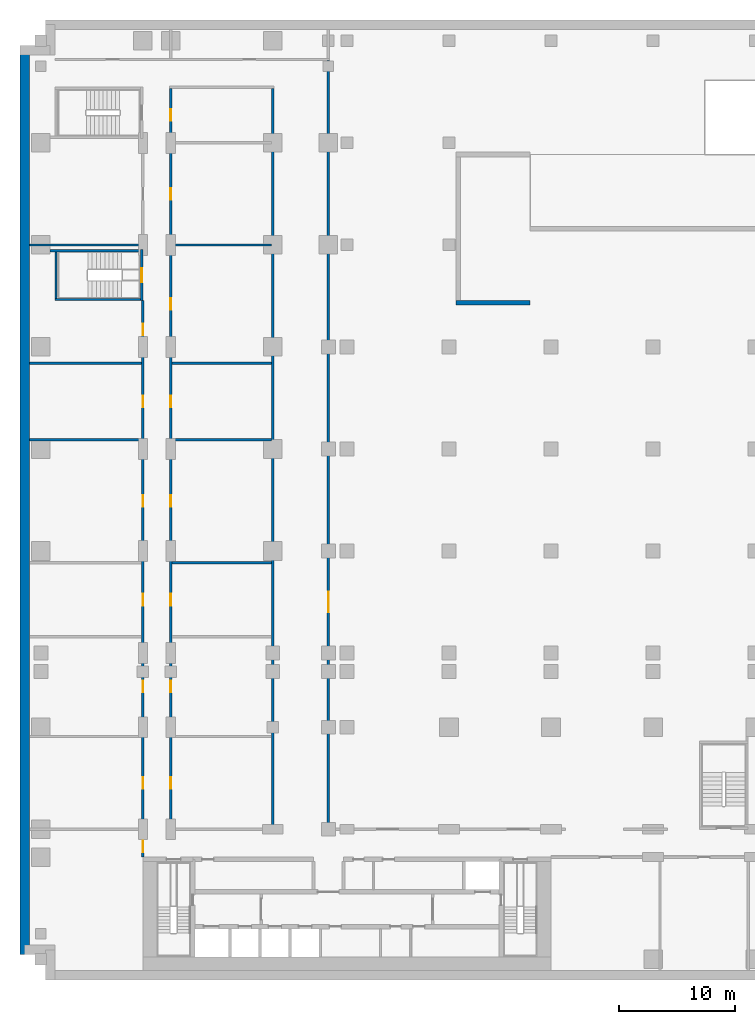
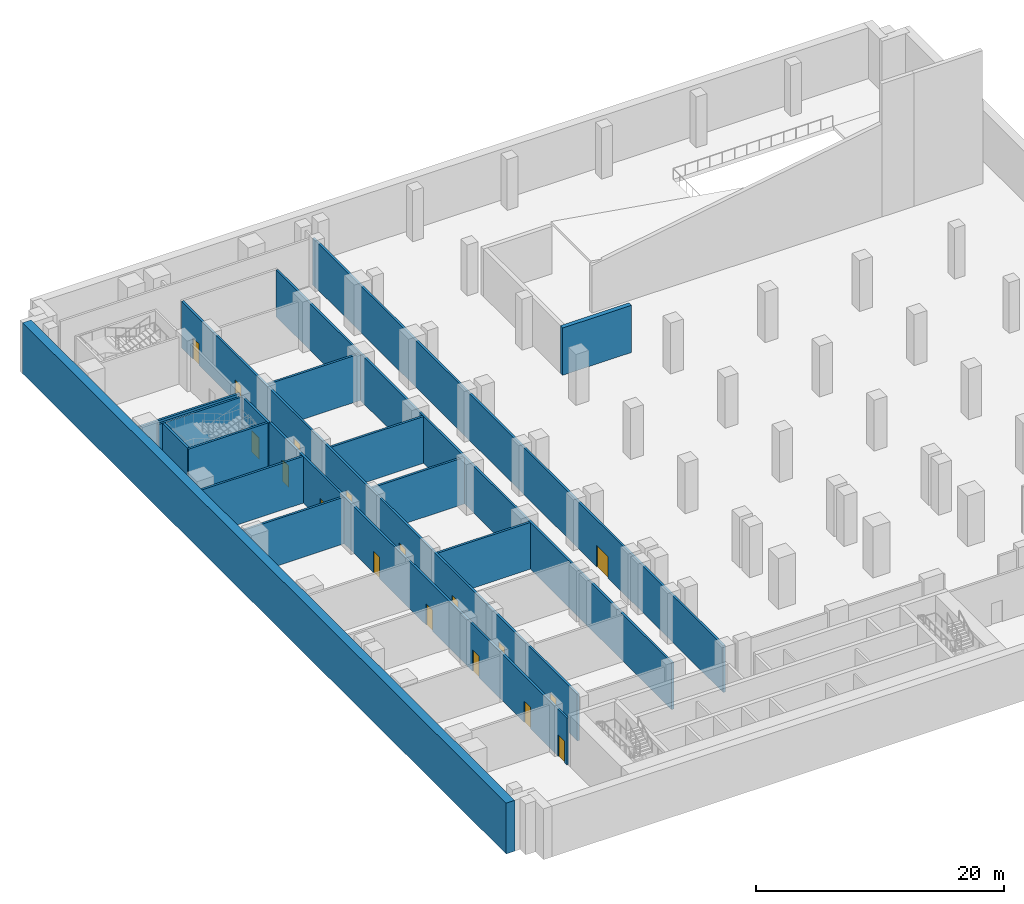
# One storey, part 5 of 12: 17 doors, 17 walls, 17 openings.
"""IFC4 building model written with IfcOpenShell, lengths in metres."""

from ifc_helpers import new_model, si_unit, direction, frame, frame_2d, origin, place, context, subcontext, project, spatial, polyline, rectangle, outline, extrude, material, layer, layer_set, type_object, element, fill, save


model = new_model("IFC4")

# Units and contexts
model_context = context("Model", 3, precision=1e-05, world=origin(), true_north=direction((0.0, 1.0)))
body_context = subcontext(model_context, "Body", "Model", "MODEL_VIEW")
ifc_project = project(units=[si_unit("LENGTHUNIT", "METRE"), si_unit("AREAUNIT", "SQUARE_METRE"), si_unit("VOLUMEUNIT", "CUBIC_METRE"), si_unit("PLANEANGLEUNIT", "RADIAN"), si_unit("MASSUNIT", "GRAM", prefix="KILO")], contexts=[model_context])

# Site, building, storey
site_placement = place(None, origin())
site = spatial("IfcSite", under=ifc_project, at=site_placement, CompositionType="ELEMENT")
building_placement = place(site_placement, origin())
building = spatial("IfcBuilding", under=site, at=building_placement, Name="Kemantara Hotel Tower", CompositionType="ELEMENT")
storey_placement = place(building_placement, frame((0.0, 0.0, -12.0)))
storey = spatial("IfcBuildingStorey", under=building, at=storey_placement, Name="B2", CompositionType="ELEMENT", Elevation=-12.0)

# Wall
ifc_material_1 = material(Name="Concrete fc 40 MPa", Category="concrete")
ifc_layer_1 = layer(ifc_material_1, 0.800048828125)
ifc_layer_set_1 = layer_set([ifc_layer_1], Name="Concrete fc 40 MPa")
wall_type_1 = type_object("IfcWallType", Name="BASEMENT PERIMETER WALL 800 FC40", PredefinedType="SHEAR", material=ifc_layer_set_1)
wall_1_placement = place(storey_placement, frame((-0.39990234375, 1.39990234375, 0.0), z_axis=(0.0, 0.0, 1.0), x_axis=(0.0, 1.0, 0.0)))
element("IfcWall", 1, at=wall_1_placement, inside=storey, type_object=wall_type_1, Name="BASEMENT PERIMETER WALL B2 7", PredefinedType="SHEAR", context=body_context, shape_type="SweptSolid", body=[
    extrude(rectangle(XDim=78.0, YDim=0.800048828125, at=frame_2d((39.0, 0.0))), origin(), (0.0, 0.0, 1.0), 5.0),
])

# Wall, opening, door
ifc_layer_2 = layer(ifc_material_1, 0.199951171875)
ifc_layer_set_2 = layer_set([ifc_layer_2], Name="Concrete fc 40 MPa")
wall_type_2 = type_object("IfcWallType", Name="Concrete stair wall 200 mm", PredefinedType="SHEAR", material=ifc_layer_set_2)
wall_2_placement = place(storey_placement, frame((9.699951171875, 57.800048828125, 0.0), z_axis=(0.0, 0.0, 1.0), x_axis=(0.0, 1.0, 0.0)))
wall_2 = element("IfcWall", 2, at=wall_2_placement, inside=storey, type_object=wall_type_2, Name="Stair ST4 enclosure wall with door", PredefinedType="SHEAR", context=body_context, shape_type="SweptSolid", body=[
    extrude(rectangle(XDim=4.39990234375, YDim=0.199951171875, at=frame_2d((2.199951171875, 0.0))), origin(), (0.0, 0.0, 1.0), 4.597900390625),
])
opening_1_placement = place(wall_2_placement, frame((1.60009765625, 0.0, 0.0)))
opening_1 = element("IfcOpeningElement", 3, at=opening_1_placement, cuts=wall_2, Name="Opening ST4-C", PredefinedType="OPENING", context=body_context, shape_type="SweptSolid", body=[
    extrude(rectangle(XDim=1.199951171875, YDim=2.10009765625, at=frame_2d((0.60009765625, 1.050048828125))), frame((0.0, 0.10986328125, 0.0), z_axis=(0.0, -1.0, 0.0), x_axis=(1.0, 0.0, 0.0)), (0.0, 0.0, 1.0), 0.219970703125),
])
ifc_material_2 = material(Name="Steel fire door", Category="steel")
door_type_1 = type_object("IfcDoorType", Name="Fire door FD90 1200 x 2100", OperationType="NOTDEFINED", PredefinedType="DOOR", material=ifc_material_2)
door_1_placement = place(opening_1_placement, origin())
door_1 = element("IfcDoor", 4, at=door_1_placement, inside=storey, type_object=door_type_1, Name="Stair ST4 door", OperationType="SINGLE_SWING_RIGHT", OverallHeight=2.10009765625, OverallWidth=1.199951171875, PredefinedType="DOOR", context=body_context, shape_type="SweptSolid", body=[
    extrude(rectangle(XDim=1.199951171875, YDim=2.10009765625, at=frame_2d((0.60009765625, 1.050048828125))), frame((0.0, 0.02490234375, 0.0), z_axis=(0.0, -1.0, 0.0), x_axis=(1.0, 0.0, 0.0)), (0.0, 0.0, 1.0), 0.050048828125),
])
fill(opening_1, door_1)

# Walls
wall_3_placement = place(storey_placement, frame((1.800048828125, 62.10009765625, 0.0), z_axis=(0.0, 0.0, 1.0), x_axis=(1.0, 0.0, 0.0)))
element("IfcWall", 5, at=wall_3_placement, inside=storey, type_object=wall_type_2, Name="Stair ST4 enclosure wall N", PredefinedType="SHEAR", context=body_context, shape_type="SweptSolid", body=[
    extrude(rectangle(XDim=7.800048828125, YDim=0.199951171875, at=frame_2d((3.89990234375, 0.0))), origin(), (0.0, 0.0, 1.0), 4.597900390625),
])
wall_4_placement = place(storey_placement, frame((2.199951171875, 57.89990234375, 0.0), z_axis=(0.0, 0.0, 1.0), x_axis=(1.0, 0.0, 0.0)))
element("IfcWall", 6, at=wall_4_placement, inside=storey, type_object=wall_type_2, Name="Stair ST4 enclosure wall S", PredefinedType="SHEAR", context=body_context, shape_type="SweptSolid", body=[
    extrude(rectangle(XDim=7.400146484375, YDim=0.199951171875, at=frame_2d((3.7001953125, 0.0))), origin(), (0.0, 0.0, 1.0), 4.597900390625),
])
wall_5_placement = place(storey_placement, frame((2.300048828125, 58.0, 0.0), z_axis=(0.0, 0.0, 1.0), x_axis=(0.0, 1.0, 0.0)))
element("IfcWall", 7, at=wall_5_placement, inside=storey, type_object=wall_type_2, Name="Stair ST4 enclosure wall W", PredefinedType="SHEAR", context=body_context, shape_type="SweptSolid", body=[
    extrude(rectangle(XDim=4.0, YDim=0.199951171875, at=frame_2d((2.0, 0.0))), origin(), (0.0, 0.0, 1.0), 4.597900390625),
])

# Wall, openings, doors
ifc_material_3 = material(Name="Fire-rated gypsum board partition")
ifc_layer_3 = layer(ifc_material_3, 0.199951171875)
ifc_layer_set_3 = layer_set([ifc_layer_3], Name="Fire-rated gypsum board partition")
wall_type_3 = type_object("IfcWallType", Name="FIRE-RATED GYPSUM PARTITION 200 EI 60", PredefinedType="PARTITIONING", material=ifc_layer_set_3)
wall_6_placement = place(storey_placement, frame((9.800048828125, 9.800048828125, 0.0), z_axis=(0.0, 0.0, 1.0), x_axis=(0.0, 1.0, 0.0)))
wall_6 = element("IfcWall", 8, at=wall_6_placement, inside=storey, type_object=wall_type_3, Name="FIRE-RATED PARTITION", PredefinedType="PARTITIONING", context=body_context, shape_type="SweptSolid", body=[
    extrude(rectangle(XDim=48.0, YDim=0.199951171875, at=frame_2d((24.0, 0.0))), origin(), (0.0, 0.0, 1.0), 4.597900390625),
])
opening_2_placement = place(wall_6_placement, frame((0.39990234375, 0.0, 0.0)))
opening_2 = element("IfcOpeningElement", 9, at=opening_2_placement, cuts=wall_6, Name="Opening B2-B001", PredefinedType="OPENING", context=body_context, shape_type="SweptSolid", body=[
    extrude(rectangle(XDim=1.0, YDim=2.10009765625, at=frame_2d((0.5, 1.050048828125))), frame((0.0, 0.10986328125, 0.0), z_axis=(0.0, -1.0, 0.0), x_axis=(1.0, 0.0, 0.0)), (0.0, 0.0, 1.0), 0.219970703125),
])
opening_3_placement = place(wall_6_placement, frame((5.89990234375, 0.0, 0.0)))
opening_3 = element("IfcOpeningElement", 10, at=opening_3_placement, cuts=wall_6, Name="Opening B2-B002", PredefinedType="OPENING", context=body_context, shape_type="SweptSolid", body=[
    extrude(rectangle(XDim=1.0, YDim=2.10009765625, at=frame_2d((0.5, 1.050048828125))), frame((0.0, 0.10986328125, 0.0), z_axis=(0.0, -1.0, 0.0), x_axis=(1.0, 0.0, 0.0)), (0.0, 0.0, 1.0), 0.219970703125),
])
opening_4_placement = place(wall_6_placement, frame((14.199951171875, 0.0, 0.0)))
opening_4 = element("IfcOpeningElement", 11, at=opening_4_placement, cuts=wall_6, Name="Opening B2-B003", PredefinedType="OPENING", context=body_context, shape_type="SweptSolid", body=[
    extrude(rectangle(XDim=1.0, YDim=2.10009765625, at=frame_2d((0.5, 1.050048828125))), frame((0.0, 0.10986328125, 0.0), z_axis=(0.0, -1.0, 0.0), x_axis=(1.0, 0.0, 0.0)), (0.0, 0.0, 1.0), 0.219970703125),
])
opening_5_placement = place(wall_6_placement, frame((21.699951171875, 0.0, 0.0)))
opening_5 = element("IfcOpeningElement", 12, at=opening_5_placement, cuts=wall_6, Name="Opening B2-B004", PredefinedType="OPENING", context=body_context, shape_type="SweptSolid", body=[
    extrude(rectangle(XDim=1.0, YDim=2.10009765625, at=frame_2d((0.5, 1.050048828125))), frame((0.0, 0.10986328125, 0.0), z_axis=(0.0, -1.0, 0.0), x_axis=(1.0, 0.0, 0.0)), (0.0, 0.0, 1.0), 0.219970703125),
])
opening_6_placement = place(wall_6_placement, frame((30.199951171875, 0.0, 0.0)))
opening_6 = element("IfcOpeningElement", 13, at=opening_6_placement, cuts=wall_6, Name="Opening B2-B005", PredefinedType="OPENING", context=body_context, shape_type="SweptSolid", body=[
    extrude(rectangle(XDim=1.0, YDim=2.10009765625, at=frame_2d((0.5, 1.050048828125))), frame((0.0, 0.10986328125, 0.0), z_axis=(0.0, -1.0, 0.0), x_axis=(1.0, 0.0, 0.0)), (0.0, 0.0, 1.0), 0.219970703125),
])
opening_7_placement = place(wall_6_placement, frame((38.800048828125, 0.0, 0.0)))
opening_7 = element("IfcOpeningElement", 14, at=opening_7_placement, cuts=wall_6, Name="Opening B2-B006", PredefinedType="OPENING", context=body_context, shape_type="SweptSolid", body=[
    extrude(rectangle(XDim=1.0, YDim=2.10009765625, at=frame_2d((0.5, 1.050048828125))), frame((0.0, 0.10986328125, 0.0), z_axis=(0.0, -1.0, 0.0), x_axis=(1.0, 0.0, 0.0)), (0.0, 0.0, 1.0), 0.219970703125),
])
opening_8_placement = place(wall_6_placement, frame((45.0, 0.0, 0.0)))
opening_8 = element("IfcOpeningElement", 15, at=opening_8_placement, cuts=wall_6, Name="Opening B2-B007", PredefinedType="OPENING", context=body_context, shape_type="SweptSolid", body=[
    extrude(rectangle(XDim=1.0, YDim=2.10009765625, at=frame_2d((0.5, 1.050048828125))), frame((0.0, 0.10986328125, 0.0), z_axis=(0.0, -1.0, 0.0), x_axis=(1.0, 0.0, 0.0)), (0.0, 0.0, 1.0), 0.219970703125),
])
ifc_material_4 = material(Name="Timber veneer door leaf", Category="wood")
door_type_2 = type_object("IfcDoorType", Name="SINGLE LEAF TIMBER DOOR 1000 X 2100", OperationType="SINGLE_SWING_LEFT", PredefinedType="DOOR", material=ifc_material_4)
door_2_placement = place(opening_2_placement, frame((1.0, 0.0, 0.0), z_axis=(0.0, 0.0, 1.0), x_axis=(-1.0, 0.0, 0.0)))
door_2 = element("IfcDoor", 16, at=door_2_placement, inside=storey, type_object=door_type_2, Name="SINGLE LEAF TIMBER DOOR", OperationType="SINGLE_SWING_RIGHT", OverallHeight=2.10009765625, OverallWidth=1.0, PredefinedType="DOOR", context=body_context, shape_type="SweptSolid", body=[
    extrude(rectangle(XDim=1.0, YDim=2.10009765625, at=frame_2d((0.5, 1.050048828125))), frame((0.0, 0.02490234375, 0.0), z_axis=(0.0, -1.0, 0.0), x_axis=(1.0, 0.0, 0.0)), (0.0, 0.0, 1.0), 0.050048828125),
])
fill(opening_2, door_2)
door_3_placement = place(opening_3_placement, frame((1.0, 0.0, 0.0), z_axis=(0.0, 0.0, 1.0), x_axis=(-1.0, 0.0, 0.0)))
door_3 = element("IfcDoor", 17, at=door_3_placement, inside=storey, type_object=door_type_2, Name="SINGLE LEAF TIMBER DOOR", OperationType="SINGLE_SWING_RIGHT", OverallHeight=2.10009765625, OverallWidth=1.0, PredefinedType="DOOR", context=body_context, shape_type="SweptSolid", body=[
    extrude(rectangle(XDim=1.0, YDim=2.10009765625, at=frame_2d((0.5, 1.050048828125))), frame((0.0, 0.02490234375, 0.0), z_axis=(0.0, -1.0, 0.0), x_axis=(1.0, 0.0, 0.0)), (0.0, 0.0, 1.0), 0.050048828125),
])
fill(opening_3, door_3)
door_4_placement = place(opening_4_placement, frame((1.0, 0.0, 0.0), z_axis=(0.0, 0.0, 1.0), x_axis=(-1.0, 0.0, 0.0)))
door_4 = element("IfcDoor", 18, at=door_4_placement, inside=storey, type_object=door_type_2, Name="SINGLE LEAF TIMBER DOOR", OperationType="SINGLE_SWING_RIGHT", OverallHeight=2.10009765625, OverallWidth=1.0, PredefinedType="DOOR", context=body_context, shape_type="SweptSolid", body=[
    extrude(rectangle(XDim=1.0, YDim=2.10009765625, at=frame_2d((0.5, 1.050048828125))), frame((0.0, 0.02490234375, 0.0), z_axis=(0.0, -1.0, 0.0), x_axis=(1.0, 0.0, 0.0)), (0.0, 0.0, 1.0), 0.050048828125),
])
fill(opening_4, door_4)
door_5_placement = place(opening_5_placement, frame((1.0, 0.0, 0.0), z_axis=(0.0, 0.0, 1.0), x_axis=(-1.0, 0.0, 0.0)))
door_5 = element("IfcDoor", 19, at=door_5_placement, inside=storey, type_object=door_type_2, Name="SINGLE LEAF TIMBER DOOR", OperationType="SINGLE_SWING_RIGHT", OverallHeight=2.10009765625, OverallWidth=1.0, PredefinedType="DOOR", context=body_context, shape_type="SweptSolid", body=[
    extrude(rectangle(XDim=1.0, YDim=2.10009765625, at=frame_2d((0.5, 1.050048828125))), frame((0.0, 0.02490234375, 0.0), z_axis=(0.0, -1.0, 0.0), x_axis=(1.0, 0.0, 0.0)), (0.0, 0.0, 1.0), 0.050048828125),
])
fill(opening_5, door_5)
door_6_placement = place(opening_6_placement, frame((1.0, 0.0, 0.0), z_axis=(0.0, 0.0, 1.0), x_axis=(-1.0, 0.0, 0.0)))
door_6 = element("IfcDoor", 20, at=door_6_placement, inside=storey, type_object=door_type_2, Name="SINGLE LEAF TIMBER DOOR", OperationType="SINGLE_SWING_LEFT", OverallHeight=2.10009765625, OverallWidth=1.0, PredefinedType="DOOR", context=body_context, shape_type="SweptSolid", body=[
    extrude(rectangle(XDim=1.0, YDim=2.10009765625, at=frame_2d((0.5, 1.050048828125))), frame((0.0, 0.02490234375, 0.0), z_axis=(0.0, -1.0, 0.0), x_axis=(1.0, 0.0, 0.0)), (0.0, 0.0, 1.0), 0.050048828125),
])
fill(opening_6, door_6)
door_7_placement = place(opening_7_placement, frame((1.0, 0.0, 0.0), z_axis=(0.0, 0.0, 1.0), x_axis=(-1.0, 0.0, 0.0)))
door_7 = element("IfcDoor", 21, at=door_7_placement, inside=storey, type_object=door_type_2, Name="SINGLE LEAF TIMBER DOOR", OperationType="SINGLE_SWING_LEFT", OverallHeight=2.10009765625, OverallWidth=1.0, PredefinedType="DOOR", context=body_context, shape_type="SweptSolid", body=[
    extrude(rectangle(XDim=1.0, YDim=2.10009765625, at=frame_2d((0.5, 1.050048828125))), frame((0.0, 0.02490234375, 0.0), z_axis=(0.0, -1.0, 0.0), x_axis=(1.0, 0.0, 0.0)), (0.0, 0.0, 1.0), 0.050048828125),
])
fill(opening_7, door_7)
door_8_placement = place(opening_8_placement, frame((1.0, 0.0, 0.0), z_axis=(0.0, 0.0, 1.0), x_axis=(-1.0, 0.0, 0.0)))
door_8 = element("IfcDoor", 22, at=door_8_placement, inside=storey, type_object=door_type_2, Name="SINGLE LEAF TIMBER DOOR", OperationType="SINGLE_SWING_LEFT", OverallHeight=2.10009765625, OverallWidth=1.0, PredefinedType="DOOR", context=body_context, shape_type="SweptSolid", body=[
    extrude(rectangle(XDim=1.0, YDim=2.10009765625, at=frame_2d((0.5, 1.050048828125))), frame((0.0, 0.02490234375, 0.0), z_axis=(0.0, -1.0, 0.0), x_axis=(1.0, 0.0, 0.0)), (0.0, 0.0, 1.0), 0.050048828125),
])
fill(opening_8, door_8)

wall_7_placement = place(storey_placement, frame((12.199951171875, 12.300048828125, 0.0), z_axis=(0.0, 0.0, 1.0), x_axis=(0.0, 1.0, 0.0)))
wall_7 = element("IfcWall", 23, at=wall_7_placement, inside=storey, type_object=wall_type_3, Name="FIRE-RATED PARTITION", PredefinedType="PARTITIONING", context=body_context, shape_type="SweptSolid", body=[
    extrude(rectangle(XDim=63.800048828125, YDim=0.199951171875, at=frame_2d((31.89990234375, 0.0))), origin(), (0.0, 0.0, 1.0), 4.597900390625),
])
opening_9_placement = place(wall_7_placement, frame((3.39990234375, 0.0, 0.0)))
opening_9 = element("IfcOpeningElement", 24, at=opening_9_placement, cuts=wall_7, Name="Opening B2-B009", PredefinedType="OPENING", context=body_context, shape_type="SweptSolid", body=[
    extrude(rectangle(XDim=1.0, YDim=2.10009765625, at=frame_2d((0.5, 1.050048828125))), frame((0.0, 0.10986328125, 0.0), z_axis=(0.0, -1.0, 0.0), x_axis=(1.0, 0.0, 0.0)), (0.0, 0.0, 1.0), 0.219970703125),
])
opening_10_placement = place(wall_7_placement, frame((11.699951171875, 0.0, 0.0)))
opening_10 = element("IfcOpeningElement", 25, at=opening_10_placement, cuts=wall_7, Name="Opening B2-B010", PredefinedType="OPENING", context=body_context, shape_type="SweptSolid", body=[
    extrude(rectangle(XDim=1.0, YDim=2.10009765625, at=frame_2d((0.5, 1.050048828125))), frame((0.0, 0.10986328125, 0.0), z_axis=(0.0, -1.0, 0.0), x_axis=(1.0, 0.0, 0.0)), (0.0, 0.0, 1.0), 0.219970703125),
])
opening_11_placement = place(wall_7_placement, frame((19.199951171875, 0.0, 0.0)))
opening_11 = element("IfcOpeningElement", 26, at=opening_11_placement, cuts=wall_7, Name="Opening B2-B011", PredefinedType="OPENING", context=body_context, shape_type="SweptSolid", body=[
    extrude(rectangle(XDim=1.0, YDim=2.10009765625, at=frame_2d((0.5, 1.050048828125))), frame((0.0, 0.10986328125, 0.0), z_axis=(0.0, -1.0, 0.0), x_axis=(1.0, 0.0, 0.0)), (0.0, 0.0, 1.0), 0.219970703125),
])
opening_12_placement = place(wall_7_placement, frame((27.699951171875, 0.0, 0.0)))
opening_12 = element("IfcOpeningElement", 27, at=opening_12_placement, cuts=wall_7, Name="Opening B2-B012", PredefinedType="OPENING", context=body_context, shape_type="SweptSolid", body=[
    extrude(rectangle(XDim=1.0, YDim=2.10009765625, at=frame_2d((0.5, 1.050048828125))), frame((0.0, 0.10986328125, 0.0), z_axis=(0.0, -1.0, 0.0), x_axis=(1.0, 0.0, 0.0)), (0.0, 0.0, 1.0), 0.219970703125),
])
opening_13_placement = place(wall_7_placement, frame((36.300048828125, 0.0, 0.0)))
opening_13 = element("IfcOpeningElement", 28, at=opening_13_placement, cuts=wall_7, Name="Opening B2-B013", PredefinedType="OPENING", context=body_context, shape_type="SweptSolid", body=[
    extrude(rectangle(XDim=1.0, YDim=2.10009765625, at=frame_2d((0.5, 1.050048828125))), frame((0.0, 0.10986328125, 0.0), z_axis=(0.0, -1.0, 0.0), x_axis=(1.0, 0.0, 0.0)), (0.0, 0.0, 1.0), 0.219970703125),
])
opening_14_placement = place(wall_7_placement, frame((44.699951171875, 0.0, 0.0)))
opening_14 = element("IfcOpeningElement", 29, at=opening_14_placement, cuts=wall_7, Name="Opening B2-B014", PredefinedType="OPENING", context=body_context, shape_type="SweptSolid", body=[
    extrude(rectangle(XDim=1.0, YDim=2.10009765625, at=frame_2d((0.5, 1.050048828125))), frame((0.0, 0.10986328125, 0.0), z_axis=(0.0, -1.0, 0.0), x_axis=(1.0, 0.0, 0.0)), (0.0, 0.0, 1.0), 0.219970703125),
])
opening_15_placement = place(wall_7_placement, frame((54.199951171875, 0.0, 0.0)))
opening_15 = element("IfcOpeningElement", 30, at=opening_15_placement, cuts=wall_7, Name="Opening B2-B015", PredefinedType="OPENING", context=body_context, shape_type="SweptSolid", body=[
    extrude(rectangle(XDim=1.0, YDim=2.10009765625, at=frame_2d((0.5, 1.050048828125))), frame((0.0, 0.10986328125, 0.0), z_axis=(0.0, -1.0, 0.0), x_axis=(1.0, 0.0, 0.0)), (0.0, 0.0, 1.0), 0.219970703125),
])
opening_16_placement = place(wall_7_placement, frame((61.0, 0.0, 0.0)))
opening_16 = element("IfcOpeningElement", 31, at=opening_16_placement, cuts=wall_7, Name="Opening B2-B016", PredefinedType="OPENING", context=body_context, shape_type="SweptSolid", body=[
    extrude(rectangle(XDim=1.0, YDim=2.10009765625, at=frame_2d((0.5, 1.050048828125))), frame((0.0, 0.10986328125, 0.0), z_axis=(0.0, -1.0, 0.0), x_axis=(1.0, 0.0, 0.0)), (0.0, 0.0, 1.0), 0.219970703125),
])
door_9_placement = place(opening_9_placement, origin())
door_9 = element("IfcDoor", 32, at=door_9_placement, inside=storey, type_object=door_type_2, Name="SINGLE LEAF TIMBER DOOR", OperationType="SINGLE_SWING_LEFT", OverallHeight=2.10009765625, OverallWidth=1.0, PredefinedType="DOOR", context=body_context, shape_type="SweptSolid", body=[
    extrude(rectangle(XDim=1.0, YDim=2.10009765625, at=frame_2d((0.5, 1.050048828125))), frame((0.0, 0.02490234375, 0.0), z_axis=(0.0, -1.0, 0.0), x_axis=(1.0, 0.0, 0.0)), (0.0, 0.0, 1.0), 0.050048828125),
])
fill(opening_9, door_9)
door_10_placement = place(opening_10_placement, origin())
door_10 = element("IfcDoor", 33, at=door_10_placement, inside=storey, type_object=door_type_2, Name="SINGLE LEAF TIMBER DOOR", OperationType="SINGLE_SWING_LEFT", OverallHeight=2.10009765625, OverallWidth=1.0, PredefinedType="DOOR", context=body_context, shape_type="SweptSolid", body=[
    extrude(rectangle(XDim=1.0, YDim=2.10009765625, at=frame_2d((0.5, 1.050048828125))), frame((0.0, 0.02490234375, 0.0), z_axis=(0.0, -1.0, 0.0), x_axis=(1.0, 0.0, 0.0)), (0.0, 0.0, 1.0), 0.050048828125),
])
fill(opening_10, door_10)
door_11_placement = place(opening_11_placement, origin())
door_11 = element("IfcDoor", 34, at=door_11_placement, inside=storey, type_object=door_type_2, Name="SINGLE LEAF TIMBER DOOR", OperationType="SINGLE_SWING_LEFT", OverallHeight=2.10009765625, OverallWidth=1.0, PredefinedType="DOOR", context=body_context, shape_type="SweptSolid", body=[
    extrude(rectangle(XDim=1.0, YDim=2.10009765625, at=frame_2d((0.5, 1.050048828125))), frame((0.0, 0.02490234375, 0.0), z_axis=(0.0, -1.0, 0.0), x_axis=(1.0, 0.0, 0.0)), (0.0, 0.0, 1.0), 0.050048828125),
])
fill(opening_11, door_11)
door_12_placement = place(opening_12_placement, origin())
door_12 = element("IfcDoor", 35, at=door_12_placement, inside=storey, type_object=door_type_2, Name="SINGLE LEAF TIMBER DOOR", OperationType="SINGLE_SWING_LEFT", OverallHeight=2.10009765625, OverallWidth=1.0, PredefinedType="DOOR", context=body_context, shape_type="SweptSolid", body=[
    extrude(rectangle(XDim=1.0, YDim=2.10009765625, at=frame_2d((0.5, 1.050048828125))), frame((0.0, 0.02490234375, 0.0), z_axis=(0.0, -1.0, 0.0), x_axis=(1.0, 0.0, 0.0)), (0.0, 0.0, 1.0), 0.050048828125),
])
fill(opening_12, door_12)
door_13_placement = place(opening_13_placement, origin())
door_13 = element("IfcDoor", 36, at=door_13_placement, inside=storey, type_object=door_type_2, Name="SINGLE LEAF TIMBER DOOR", OperationType="SINGLE_SWING_RIGHT", OverallHeight=2.10009765625, OverallWidth=1.0, PredefinedType="DOOR", context=body_context, shape_type="SweptSolid", body=[
    extrude(rectangle(XDim=1.0, YDim=2.10009765625, at=frame_2d((0.5, 1.050048828125))), frame((0.0, 0.02490234375, 0.0), z_axis=(0.0, -1.0, 0.0), x_axis=(1.0, 0.0, 0.0)), (0.0, 0.0, 1.0), 0.050048828125),
])
fill(opening_13, door_13)
door_14_placement = place(opening_14_placement, origin())
door_14 = element("IfcDoor", 37, at=door_14_placement, inside=storey, type_object=door_type_2, Name="SINGLE LEAF TIMBER DOOR", OperationType="SINGLE_SWING_RIGHT", OverallHeight=2.10009765625, OverallWidth=1.0, PredefinedType="DOOR", context=body_context, shape_type="SweptSolid", body=[
    extrude(rectangle(XDim=1.0, YDim=2.10009765625, at=frame_2d((0.5, 1.050048828125))), frame((0.0, 0.02490234375, 0.0), z_axis=(0.0, -1.0, 0.0), x_axis=(1.0, 0.0, 0.0)), (0.0, 0.0, 1.0), 0.050048828125),
])
fill(opening_14, door_14)
door_15_placement = place(opening_15_placement, origin())
door_15 = element("IfcDoor", 38, at=door_15_placement, inside=storey, type_object=door_type_2, Name="SINGLE LEAF TIMBER DOOR", OperationType="SINGLE_SWING_RIGHT", OverallHeight=2.10009765625, OverallWidth=1.0, PredefinedType="DOOR", context=body_context, shape_type="SweptSolid", body=[
    extrude(rectangle(XDim=1.0, YDim=2.10009765625, at=frame_2d((0.5, 1.050048828125))), frame((0.0, 0.02490234375, 0.0), z_axis=(0.0, -1.0, 0.0), x_axis=(1.0, 0.0, 0.0)), (0.0, 0.0, 1.0), 0.050048828125),
])
fill(opening_15, door_15)
door_16_placement = place(opening_16_placement, origin())
door_16 = element("IfcDoor", 39, at=door_16_placement, inside=storey, type_object=door_type_2, Name="SINGLE LEAF TIMBER DOOR", OperationType="SINGLE_SWING_RIGHT", OverallHeight=2.10009765625, OverallWidth=1.0, PredefinedType="DOOR", context=body_context, shape_type="SweptSolid", body=[
    extrude(rectangle(XDim=1.0, YDim=2.10009765625, at=frame_2d((0.5, 1.050048828125))), frame((0.0, 0.02490234375, 0.0), z_axis=(0.0, -1.0, 0.0), x_axis=(1.0, 0.0, 0.0)), (0.0, 0.0, 1.0), 0.050048828125),
])
fill(opening_16, door_16)

# Wall
wall_8_placement = place(storey_placement, frame((21.0, 12.300048828125, 0.0), z_axis=(0.0, 0.0, 1.0), x_axis=(0.0, 1.0, 0.0)))
element("IfcWall", 40, at=wall_8_placement, inside=storey, type_object=wall_type_3, Name="FIRE-RATED PARTITION", PredefinedType="PARTITIONING", context=body_context, shape_type="SweptSolid", body=[
    extrude(rectangle(XDim=63.800048828125, YDim=0.199951171875, at=frame_2d((31.89990234375, 0.0))), origin(), (0.0, 0.0, 1.0), 4.597900390625),
])

# Wall, opening, door
wall_9_placement = place(storey_placement, frame((25.800048828125, 12.300048828125, 0.0), z_axis=(0.0, 0.0, 1.0), x_axis=(0.0, 1.0, 0.0)))
wall_9 = element("IfcWall", 41, at=wall_9_placement, inside=storey, type_object=wall_type_3, Name="FIRE-RATED PARTITION", PredefinedType="PARTITIONING", context=body_context, shape_type="SweptSolid", body=[
    extrude(rectangle(XDim=66.199951171875, YDim=0.199951171875, at=frame_2d((33.10009765625, 0.0))), origin(), (0.0, 0.0, 1.0), 4.597900390625),
])
opening_17_placement = place(wall_9_placement, frame((18.60009765625, 0.0, 0.0)))
opening_17 = element("IfcOpeningElement", 42, at=opening_17_placement, cuts=wall_9, Name="Opening B2-B025", PredefinedType="OPENING", context=body_context, shape_type="SweptSolid", body=[
    extrude(rectangle(XDim=1.800048828125, YDim=2.10009765625, at=frame_2d((0.89990234375, 1.050048828125))), frame((0.0, 0.10986328125, 0.0), z_axis=(0.0, -1.0, 0.0), x_axis=(1.0, 0.0, 0.0)), (0.0, 0.0, 1.0), 0.219970703125),
])
ifc_material_5 = material(Name="Galvanised steel door leaf", Category="steel")
door_type_3 = type_object("IfcDoorType", Name="FIRE-RATED STEEL DOOR DOUBLE LEAF 1800 X 2100", OperationType="DOUBLE_DOOR_SINGLE_SWING", PredefinedType="DOOR", material=ifc_material_5)
door_17_placement = place(opening_17_placement, frame((1.800048828125, 0.0, 0.0), z_axis=(0.0, 0.0, 1.0), x_axis=(-1.0, 0.0, 0.0)))
door_17 = element("IfcDoor", 43, at=door_17_placement, inside=storey, type_object=door_type_3, Name="FIRE-RATED STEEL DOOR DOUBLE LEAF", OperationType="DOUBLE_DOOR_SINGLE_SWING", OverallHeight=2.10009765625, OverallWidth=1.800048828125, PredefinedType="DOOR", context=body_context, shape_type="SweptSolid", body=[
    extrude(rectangle(XDim=1.800048828125, YDim=2.10009765625, at=frame_2d((0.89990234375, 1.050048828125))), frame((0.0, 0.02490234375, 0.0), z_axis=(0.0, -1.0, 0.0), x_axis=(1.0, 0.0, 0.0)), (0.0, 0.0, 1.0), 0.050048828125),
])
fill(opening_17, door_17)

# Walls
ifc_material_6 = material(Name="Gypsum board partition")
ifc_layer_4 = layer(ifc_material_6, 0.199951171875)
ifc_layer_set_4 = layer_set([ifc_layer_4], Name="Gypsum board partition")
wall_type_4 = type_object("IfcWallType", Name="GYPSUM BOARD PARTITION 200", PredefinedType="PARTITIONING", material=ifc_layer_set_4)
wall_10_placement = place(storey_placement, frame((12.300048828125, 35.199951171875, 0.0), z_axis=(0.0, 0.0, 1.0), x_axis=(1.0, 0.0, 0.0)))
element("IfcWall", 44, at=wall_10_placement, inside=storey, type_object=wall_type_4, Name="PARTITION", PredefinedType="PARTITIONING", context=body_context, shape_type="SweptSolid", body=[
    extrude(rectangle(XDim=8.599853515625, YDim=0.199951171875, at=frame_2d((4.2998046875, 0.0))), origin(), (0.0, 0.0, 1.0), 4.597900390625),
])
wall_11_placement = place(storey_placement, frame((0.0, 45.800048828125, 0.0), z_axis=(0.0, 0.0, 1.0), x_axis=(1.0, 0.0, 0.0)))
element("IfcWall", 45, at=wall_11_placement, inside=storey, type_object=wall_type_4, Name="PARTITION", PredefinedType="PARTITIONING", context=body_context, shape_type="SweptSolid", body=[
    extrude(rectangle(XDim=9.699951171875, YDim=0.199951171875, at=frame_2d((4.85009765625, 0.0))), origin(), (0.0, 0.0, 1.0), 4.597900390625),
])
wall_12_placement = place(storey_placement, frame((12.300048828125, 45.800048828125, 0.0), z_axis=(0.0, 0.0, 1.0), x_axis=(1.0, 0.0, 0.0)))
element("IfcWall", 46, at=wall_12_placement, inside=storey, type_object=wall_type_4, Name="PARTITION", PredefinedType="PARTITIONING", context=body_context, shape_type="SweptSolid", body=[
    extrude(rectangle(XDim=8.599853515625, YDim=0.199951171875, at=frame_2d((4.2998046875, 0.0))), origin(), (0.0, 0.0, 1.0), 4.597900390625),
])
wall_13_placement = place(storey_placement, frame((0.0, 52.39990234375, 0.0), z_axis=(0.0, 0.0, 1.0), x_axis=(1.0, 0.0, 0.0)))
element("IfcWall", 47, at=wall_13_placement, inside=storey, type_object=wall_type_4, Name="PARTITION", PredefinedType="PARTITIONING", context=body_context, shape_type="SweptSolid", body=[
    extrude(rectangle(XDim=9.699951171875, YDim=0.199951171875, at=frame_2d((4.85009765625, 0.0))), origin(), (0.0, 0.0, 1.0), 4.597900390625),
])
wall_14_placement = place(storey_placement, frame((12.300048828125, 52.39990234375, 0.0), z_axis=(0.0, 0.0, 1.0), x_axis=(1.0, 0.0, 0.0)))
element("IfcWall", 48, at=wall_14_placement, inside=storey, type_object=wall_type_4, Name="PARTITION", PredefinedType="PARTITIONING", context=body_context, shape_type="SweptSolid", body=[
    extrude(rectangle(XDim=8.599853515625, YDim=0.199951171875, at=frame_2d((4.2998046875, 0.0))), origin(), (0.0, 0.0, 1.0), 4.597900390625),
])
wall_15_placement = place(storey_placement, frame((0.0, 62.60009765625, 0.0), z_axis=(0.0, 0.0, 1.0), x_axis=(1.0, 0.0, 0.0)))
element("IfcWall", 49, at=wall_15_placement, inside=storey, type_object=wall_type_4, Name="PARTITION", PredefinedType="PARTITIONING", context=body_context, shape_type="SweptSolid", body=[
    extrude(rectangle(XDim=9.699951171875, YDim=0.199951171875, at=frame_2d((4.85009765625, 0.0))), origin(), (0.0, 0.0, 1.0), 4.597900390625),
])
wall_16_placement = place(storey_placement, frame((12.300048828125, 62.60009765625, 0.0), z_axis=(0.0, 0.0, 1.0), x_axis=(1.0, 0.0, 0.0)))
element("IfcWall", 50, at=wall_16_placement, inside=storey, type_object=wall_type_4, Name="PARTITION", PredefinedType="PARTITIONING", context=body_context, shape_type="SweptSolid", body=[
    extrude(rectangle(XDim=8.599853515625, YDim=0.199951171875, at=frame_2d((4.2998046875, 0.0))), origin(), (0.0, 0.0, 1.0), 4.597900390625),
])
ifc_layer_5 = layer(ifc_material_1, 0.39990234375)
ifc_layer_set_5 = layer_set([ifc_layer_5], Name="Concrete fc 40 MPa")
wall_type_5 = type_object("IfcWallType", Name="RAMP WALL 400 FC40", PredefinedType="SHEAR", material=ifc_layer_set_5)
wall_17_placement = place(storey_placement, frame((36.800048828125, 57.60009765625, 0.0), z_axis=(0.0, 0.0, 1.0), x_axis=(1.0, 0.0, 0.0)))
element("IfcWall", 51, at=wall_17_placement, inside=storey, type_object=wall_type_5, Name="LANDING SUPPORT WALL B1 SOUTH", PredefinedType="SHEAR", context=body_context, shape_type="SweptSolid", body=[
    extrude(outline(polyline([(0.0, 0.0), (6.39990234375, 0.0), (6.39990234375, 4.64990234375), (4.2666015625, 4.64990234375), (2.13330078125, 4.64990234375), (0.0, 4.64990234375), (0.0, 0.0)])), frame((0.0, 0.199951171875, 0.0), z_axis=(0.0, -1.0, 0.0), x_axis=(1.0, 0.0, 0.0)), (0.0, 0.0, 1.0), 0.39990234375),
])

save(model, "model.ifc")
